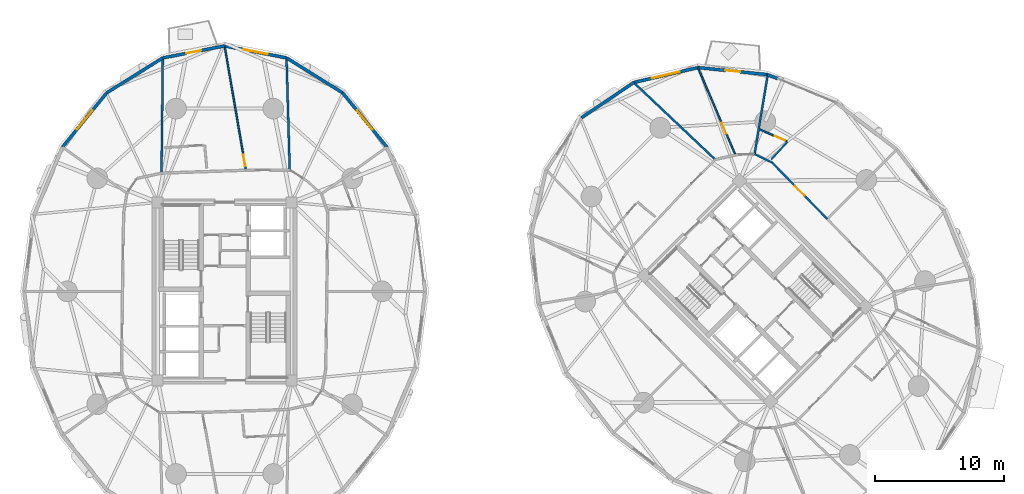
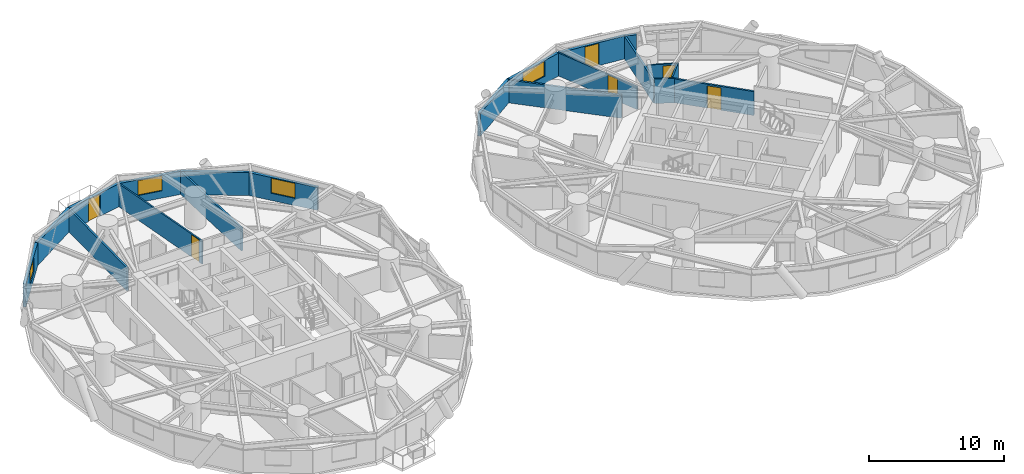
# One storey, part 14 of 19: 20 walls, 6 doors, 4 windows, 10 openings.
"""IFC4 building model written with IfcOpenShell, lengths in metres."""

from ifc_helpers import new_model, si_unit, direction, frame, frame_2d, origin, place, context, subcontext, project, spatial, rectangle, extrude, source, transform, mapped, material, layer, layer_set, type_object, element, fill, save


model = new_model("IFC4")

# Units and contexts
model_context = context("Model", 3, precision=1e-05, world=origin(), true_north=direction((0.0, 1.0)))
body_context = subcontext(model_context, "Body", "Model", "MODEL_VIEW")
ifc_project = project(units=[si_unit("LENGTHUNIT", "METRE"), si_unit("AREAUNIT", "SQUARE_METRE"), si_unit("VOLUMEUNIT", "CUBIC_METRE"), si_unit("PLANEANGLEUNIT", "RADIAN"), si_unit("MASSUNIT", "GRAM", prefix="KILO")], contexts=[model_context])

# Site, building, storey
site_placement = place(None, origin())
site = spatial("IfcSite", under=ifc_project, at=site_placement, CompositionType="ELEMENT")
building_placement = place(site_placement, origin())
building = spatial("IfcBuilding", under=site, at=building_placement, Name="Cununo Teusaquillo Station Towers", CompositionType="ELEMENT")
storey_placement = place(building_placement, frame((0.0, 0.0, 33.639892578125)))
storey = spatial("IfcBuildingStorey", under=building, at=storey_placement, Name="L09", CompositionType="ELEMENT", Elevation=33.639892578125)

# Wall, opening, window
ifc_material_1 = material(Name="Precast concrete C40/50", Category="concrete")
ifc_layer_1 = layer(ifc_material_1, 0.239990234375)
ifc_layer_set_1 = layer_set([ifc_layer_1], Name="Precast concrete C40/50")
wall_type_1 = type_object("IfcWallType", Name="WL-EXT-240", PredefinedType="SOLIDWALL", material=ifc_layer_set_1)
wall_1_placement = place(storey_placement, frame((25.610107421875, 39.84716796875, 0.0), z_axis=(0.0, 0.0, 1.0), x_axis=(0.632710215588, -0.774388651189, 0.0)))
wall_1 = element("IfcWall", 1, at=wall_1_placement, inside=storey, type_object=wall_type_1, Name="L09 Tower A Exterior Facade Wall C02", PredefinedType="SOLIDWALL", context=body_context, shape_type="SweptSolid", body=[
    extrude(rectangle(XDim=5.41943359375, YDim=0.239990234375, at=frame_2d((2.709716796875, 0.0))), origin(), (0.0, 0.0, 1.0), 2.072998046875),
])
shared_shape_1 = source(origin(), body_context, "Body", "SweptSolid", [
    extrude(rectangle(XDim=1.89990234375, YDim=1.35009765625, at=frame_2d((0.949951171875, 0.675048828125))), frame((0.0, 0.1298828125, 0.0), z_axis=(0.0, -1.0, 0.0), x_axis=(1.0, 0.0, 0.0)), (0.0, 0.0, 1.0), 0.260009765625),
])
opening_1_placement = place(wall_1_placement, frame((1.760009765625, 0.0, 0.64990234375)))
opening_1 = element("IfcOpeningElement", 2, at=opening_1_placement, cuts=wall_1, Name="Opening WN-02", PredefinedType="OPENING", context=body_context, shape_type="MappedRepresentation", body=[
    mapped(shared_shape_1, transform((0.0, 0.0, 0.0), x_axis=(1.0, 0.0, 0.0), y_axis=(0.0, 1.0, 0.0), z_axis=(0.0, 0.0, 1.0), scale=1.0)),
])
ifc_material_2 = material(Name="Operable acoustic tinted low-E double glazing", Category="glass")
window_type_1 = type_object("IfcWindowType", Name="WIN-OPER-1900", PartitioningType="DOUBLE_PANEL_VERTICAL", PredefinedType="WINDOW", material=ifc_material_2)
shared_shape_2 = source(origin(), body_context, "Body", "SweptSolid", [
    extrude(rectangle(XDim=1.89990234375, YDim=1.35009765625, at=frame_2d((0.949951171875, 0.675048828125))), frame((0.0, 0.030029296875, 0.0), z_axis=(0.0, -1.0, 0.0), x_axis=(1.0, 0.0, 0.0)), (0.0, 0.0, 1.0), 0.06005859375),
])
window_1_placement = place(opening_1_placement, origin())
window_1 = element("IfcWindow", 3, at=window_1_placement, inside=storey, type_object=window_type_1, Name="L09 Tower A Facade Window C02", OverallHeight=1.35009765625, OverallWidth=1.89990234375, PartitioningType="DOUBLE_PANEL_VERTICAL", PredefinedType="WINDOW", context=body_context, shape_type="MappedRepresentation", body=[
    mapped(shared_shape_2, transform((0.0, 0.0, 0.0), x_axis=(1.0, 0.0, 0.0), y_axis=(0.0, 1.0, 0.0), z_axis=(0.0, 0.0, 1.0), scale=1.0)),
])
fill(opening_1, window_1)

# Wall
wall_2_placement = place(storey_placement, frame((21.28955078125, 42.54150390625, 0.0), z_axis=(0.0, 0.0, 1.0), x_axis=(0.848528534887, -0.529149624853, 0.0)))
element("IfcWall", 4, at=wall_2_placement, inside=storey, type_object=wall_type_1, Name="L09 Tower A Exterior Facade Wall C03", PredefinedType="SOLIDWALL", context=body_context, shape_type="SweptSolid", body=[
    extrude(rectangle(XDim=5.091796875, YDim=0.239990234375, at=frame_2d((2.5458984375, 0.0))), origin(), (0.0, 0.0, 1.0), 2.072998046875),
])

# Wall, opening, window
wall_3_placement = place(storey_placement, frame((16.5, 43.469970703125, 0.0), z_axis=(0.0, 0.0, 1.0), x_axis=(0.981724094622, -0.190309752872, 0.0)))
wall_3 = element("IfcWall", 5, at=wall_3_placement, inside=storey, type_object=wall_type_1, Name="L09 Tower A Exterior Facade Wall C04", PredefinedType="SOLIDWALL", context=body_context, shape_type="SweptSolid", body=[
    extrude(rectangle(XDim=4.878662109375, YDim=0.239990234375, at=frame_2d((2.439453125, 0.0))), origin(), (0.0, 0.0, 1.0), 2.072998046875),
])
opening_2_placement = place(wall_3_placement, frame((1.489013671875, 0.0, 0.64990234375)))
opening_2 = element("IfcOpeningElement", 6, at=opening_2_placement, cuts=wall_3, Name="Opening WN-02", PredefinedType="OPENING", context=body_context, shape_type="MappedRepresentation", body=[
    mapped(shared_shape_1, transform((0.0, 0.0, 0.0), x_axis=(1.0, 0.0, 0.0), y_axis=(0.0, 1.0, 0.0), z_axis=(0.0, 0.0, 1.0), scale=1.0)),
])
window_2_placement = place(opening_2_placement, origin())
window_2 = element("IfcWindow", 7, at=window_2_placement, inside=storey, type_object=window_type_1, Name="L09 Tower A Facade Window C04", OverallHeight=1.35009765625, OverallWidth=1.89990234375, PartitioningType="DOUBLE_PANEL_VERTICAL", PredefinedType="WINDOW", context=body_context, shape_type="MappedRepresentation", body=[
    mapped(shared_shape_2, transform((0.0, 0.0, 0.0), x_axis=(1.0, 0.0, 0.0), y_axis=(0.0, 1.0, 0.0), z_axis=(0.0, 0.0, 1.0), scale=1.0)),
])
fill(opening_2, window_2)

# Wall, opening, door
wall_4_placement = place(storey_placement, frame((11.71044921875, 42.54150390625, 0.0), z_axis=(0.0, 0.0, 1.0), x_axis=(0.981724094622, 0.190309752872, 0.0)))
wall_4 = element("IfcWall", 8, at=wall_4_placement, inside=storey, type_object=wall_type_1, Name="L09 Tower A Exterior Facade Wall C05", PredefinedType="SOLIDWALL", context=body_context, shape_type="SweptSolid", body=[
    extrude(rectangle(XDim=4.878662109375, YDim=0.239990234375, at=frame_2d((2.439453125, 0.0))), origin(), (0.0, 0.0, 1.0), 2.072998046875),
])
shared_shape_3 = source(origin(), body_context, "Body", "SweptSolid", [
    extrude(rectangle(XDim=1.14990234375, YDim=2.0048828125, at=frame_2d((0.574951171875, 1.00244140625))), frame((0.0, 0.1298828125, 0.0), z_axis=(0.0, -1.0, 0.0), x_axis=(1.0, 0.0, 0.0)), (0.0, 0.0, 1.0), 0.260009765625),
])
opening_3_placement = place(wall_4_placement, frame((1.864013671875, 0.0, 0.0)))
opening_3 = element("IfcOpeningElement", 9, at=opening_3_placement, cuts=wall_4, Name="Opening ED-03", PredefinedType="OPENING", context=body_context, shape_type="MappedRepresentation", body=[
    mapped(shared_shape_3, transform((0.0, 0.0, 0.0), x_axis=(1.0, 0.0, 0.0), y_axis=(0.0, 1.0, 0.0), z_axis=(0.0, 0.0, 1.0), scale=1.0)),
])
ifc_material_3 = material(Name="Anodised dark bronze aluminium EN AW-6063-T6", Category="aluminium")
door_type_1 = type_object("IfcDoorType", Name="DR-EXT-BAL", OperationType="NOTDEFINED", PredefinedType="DOOR", material=ifc_material_3)
shared_shape_4 = source(origin(), body_context, "Body", "SweptSolid", [
    extrude(rectangle(XDim=1.14990234375, YDim=2.0048828125, at=frame_2d((0.574951171875, 1.00244140625))), frame((0.0, 0.02490234375, 0.0), z_axis=(0.0, -1.0, 0.0), x_axis=(1.0, 0.0, 0.0)), (0.0, 0.0, 1.0), 0.050048828125),
])
door_1_placement = place(opening_3_placement, origin())
door_1 = element("IfcDoor", 10, at=door_1_placement, inside=storey, type_object=door_type_1, Name="L09 Tower A Tree Balcony Door C05", OperationType="SINGLE_SWING_LEFT", OverallHeight=2.0048828125, OverallWidth=1.14990234375, PredefinedType="DOOR", context=body_context, shape_type="MappedRepresentation", body=[
    mapped(shared_shape_4, transform((0.0, 0.0, 0.0), x_axis=(1.0, 0.0, 0.0), y_axis=(0.0, 1.0, 0.0), z_axis=(0.0, 0.0, 1.0), scale=1.0)),
])
fill(opening_3, door_1)

# Wall
wall_5_placement = place(storey_placement, frame((7.389892578125, 39.84716796875, 0.0), z_axis=(0.0, 0.0, 1.0), x_axis=(0.848528534887, 0.529149624853, 0.0)))
element("IfcWall", 11, at=wall_5_placement, inside=storey, type_object=wall_type_1, Name="L09 Tower A Exterior Facade Wall C06", PredefinedType="SOLIDWALL", context=body_context, shape_type="SweptSolid", body=[
    extrude(rectangle(XDim=5.091796875, YDim=0.239990234375, at=frame_2d((2.5458984375, 0.0))), origin(), (0.0, 0.0, 1.0), 2.072998046875),
])

# Wall, opening, window
wall_6_placement = place(storey_placement, frame((3.9609375, 35.650390625, 0.0), z_axis=(0.0, 0.0, 1.0), x_axis=(0.632710215588, 0.774388651189, 0.0)))
wall_6 = element("IfcWall", 12, at=wall_6_placement, inside=storey, type_object=wall_type_1, Name="L09 Tower A Exterior Facade Wall C07", PredefinedType="SOLIDWALL", context=body_context, shape_type="SweptSolid", body=[
    extrude(rectangle(XDim=5.41943359375, YDim=0.239990234375, at=frame_2d((2.709716796875, 0.0))), origin(), (0.0, 0.0, 1.0), 2.072998046875),
])
opening_4_placement = place(wall_6_placement, frame((1.760009765625, 0.0, 0.64990234375)))
opening_4 = element("IfcOpeningElement", 13, at=opening_4_placement, cuts=wall_6, Name="Opening WN-02", PredefinedType="OPENING", context=body_context, shape_type="MappedRepresentation", body=[
    mapped(shared_shape_1, transform((0.0, 0.0, 0.0), x_axis=(1.0, 0.0, 0.0), y_axis=(0.0, 1.0, 0.0), z_axis=(0.0, 0.0, 1.0), scale=1.0)),
])
window_3_placement = place(opening_4_placement, origin())
window_3 = element("IfcWindow", 14, at=window_3_placement, inside=storey, type_object=window_type_1, Name="L09 Tower A Facade Window C07", OverallHeight=1.35009765625, OverallWidth=1.89990234375, PartitioningType="DOUBLE_PANEL_VERTICAL", PredefinedType="WINDOW", context=body_context, shape_type="MappedRepresentation", body=[
    mapped(shared_shape_2, transform((0.0, 0.0, 0.0), x_axis=(1.0, 0.0, 0.0), y_axis=(0.0, 1.0, 0.0), z_axis=(0.0, 0.0, 1.0), scale=1.0)),
])
fill(opening_4, window_3)

# Wall
wall_7_placement = place(storey_placement, frame((58.48193359375, 41.2509765625, 0.0), z_axis=(0.0, 0.0, 1.0), x_axis=(0.924556017656, -0.381046152345, 0.0)))
element("IfcWall", 15, at=wall_7_placement, inside=storey, type_object=wall_type_1, Name="L09 Tower B Column Pier Cladding Wall C01-PA", PredefinedType="SOLIDWALL", context=body_context, shape_type="SweptSolid", body=[
    extrude(rectangle(XDim=0.8701171875, YDim=0.239990234375, at=frame_2d((0.43505859375, 0.0))), origin(), (0.0, 0.0, 1.0), 2.072998046875),
])

# Wall, opening, door
wall_8_placement = place(storey_placement, frame((53.08984375, 41.7939453125, 0.0), z_axis=(0.0, 0.0, 1.0), x_axis=(0.994968263437, -0.100190592135, 0.0)))
wall_8 = element("IfcWall", 16, at=wall_8_placement, inside=storey, type_object=wall_type_1, Name="L09 Tower B Exterior Facade Wall C02", PredefinedType="SOLIDWALL", context=body_context, shape_type="SweptSolid", body=[
    extrude(rectangle(XDim=5.41943359375, YDim=0.239990234375, at=frame_2d((2.709716796875, 0.0))), origin(), (0.0, 0.0, 1.0), 2.072998046875),
])
opening_5_placement = place(wall_8_placement, frame((2.135009765625, 0.0, 0.0)))
opening_5 = element("IfcOpeningElement", 17, at=opening_5_placement, cuts=wall_8, Name="Opening ED-03", PredefinedType="OPENING", context=body_context, shape_type="MappedRepresentation", body=[
    mapped(shared_shape_3, transform((0.0, 0.0, 0.0), x_axis=(1.0, 0.0, 0.0), y_axis=(0.0, 1.0, 0.0), z_axis=(0.0, 0.0, 1.0), scale=1.0)),
])
door_2_placement = place(opening_5_placement, origin())
door_2 = element("IfcDoor", 18, at=door_2_placement, inside=storey, type_object=door_type_1, Name="L09 Tower B Tree Balcony Door C02", OperationType="SINGLE_SWING_LEFT", OverallHeight=2.0048828125, OverallWidth=1.14990234375, PredefinedType="DOOR", context=body_context, shape_type="MappedRepresentation", body=[
    mapped(shared_shape_4, transform((0.0, 0.0, 0.0), x_axis=(1.0, 0.0, 0.0), y_axis=(0.0, 1.0, 0.0), z_axis=(0.0, 0.0, 1.0), scale=1.0)),
])
fill(opening_5, door_2)

# Wall, opening, window
wall_9_placement = place(storey_placement, frame((48.12939453125, 40.64404296875, 0.0), z_axis=(0.0, 0.0, 1.0), x_axis=(0.974167686491, 0.22582585901, 0.0)))
wall_9 = element("IfcWall", 19, at=wall_9_placement, inside=storey, type_object=wall_type_1, Name="L09 Tower B Exterior Facade Wall C03", PredefinedType="SOLIDWALL", context=body_context, shape_type="SweptSolid", body=[
    extrude(rectangle(XDim=5.092041015625, YDim=0.239990234375, at=frame_2d((2.5458984375, 0.0))), origin(), (0.0, 0.0, 1.0), 2.072998046875),
])
shared_shape_5 = source(origin(), body_context, "Body", "SweptSolid", [
    extrude(rectangle(XDim=2.199951171875, YDim=1.35009765625, at=frame_2d((1.10009765625, 0.675048828125))), frame((0.0, 0.1298828125, 0.0), z_axis=(0.0, -1.0, 0.0), x_axis=(1.0, 0.0, 0.0)), (0.0, 0.0, 1.0), 0.260009765625),
])
opening_6_placement = place(wall_9_placement, frame((1.446044921875, 0.0, 0.64990234375)))
opening_6 = element("IfcOpeningElement", 20, at=opening_6_placement, cuts=wall_9, Name="Opening WN-01", PredefinedType="OPENING", context=body_context, shape_type="MappedRepresentation", body=[
    mapped(shared_shape_5, transform((0.0, 0.0, 0.0), x_axis=(1.0, 0.0, 0.0), y_axis=(0.0, 1.0, 0.0), z_axis=(0.0, 0.0, 1.0), scale=1.0)),
])
ifc_material_4 = material(Name="Ceramic-fritted dark low-E double glazing", Category="glass")
window_type_2 = type_object("IfcWindowType", Name="WIN-FRIT-2200", PartitioningType="DOUBLE_PANEL_VERTICAL", PredefinedType="WINDOW", material=ifc_material_4)
shared_shape_6 = source(origin(), body_context, "Body", "SweptSolid", [
    extrude(rectangle(XDim=2.199951171875, YDim=1.35009765625, at=frame_2d((1.10009765625, 0.675048828125))), frame((0.0, 0.030029296875, 0.0), z_axis=(0.0, -1.0, 0.0), x_axis=(1.0, 0.0, 0.0)), (0.0, 0.0, 1.0), 0.06005859375),
])
window_4_placement = place(opening_6_placement, origin())
window_4 = element("IfcWindow", 21, at=window_4_placement, inside=storey, type_object=window_type_2, Name="L09 Tower B Facade Window C03", OverallHeight=1.35009765625, OverallWidth=2.199951171875, PartitioningType="DOUBLE_PANEL_VERTICAL", PredefinedType="WINDOW", context=body_context, shape_type="MappedRepresentation", body=[
    mapped(shared_shape_6, transform((0.0, 0.0, 0.0), x_axis=(1.0, 0.0, 0.0), y_axis=(0.0, 1.0, 0.0), z_axis=(0.0, 0.0, 1.0), scale=1.0)),
])
fill(opening_6, window_4)

# Wall
wall_10_placement = place(storey_placement, frame((44.086181640625, 37.913818359375, 0.0), z_axis=(0.0, 0.0, 1.0), x_axis=(0.828748297084, 0.559621532896, 0.0)))
element("IfcWall", 22, at=wall_10_placement, inside=storey, type_object=wall_type_1, Name="L09 Tower B Exterior Facade Wall C04", PredefinedType="SOLIDWALL", context=body_context, shape_type="SweptSolid", body=[
    extrude(rectangle(XDim=4.878662109375, YDim=0.239990234375, at=frame_2d((2.439453125, 0.0))), origin(), (0.0, 0.0, 1.0), 2.072998046875),
])

# Wall, opening, door
ifc_material_5 = material(Name="Fire-rated gypsum plasterboard partition assembly", Category="gypsum")
ifc_layer_2 = layer(ifc_material_5, 0.125)
ifc_layer_set_2 = layer_set([ifc_layer_2], Name="Fire-rated gypsum plasterboard partition assembly")
wall_type_2 = type_object("IfcWallType", Name="WL-PART-125", PredefinedType="PARTITIONING", material=ifc_layer_set_2)
wall_11_placement = place(storey_placement, frame((18.142822265625, 33.859619140625, 0.0), z_axis=(0.0, 0.0, 1.0), x_axis=(-0.168840545196, 0.985643378864, 0.0)))
wall_11 = element("IfcWall", 23, at=wall_11_placement, inside=storey, type_object=wall_type_2, Name="L09 Tower A Executive Corner Hotel Suite Suite Subdividing Wall", PredefinedType="PARTITIONING", context=body_context, shape_type="SweptSolid", body=[
    extrude(rectangle(XDim=9.72998046875, YDim=0.125, at=frame_2d((4.864990234375, 0.0))), origin(), (0.0, 0.0, 1.0), 2.072998046875),
])
shared_shape_7 = source(origin(), body_context, "Body", "SweptSolid", [
    extrude(rectangle(XDim=0.89990234375, YDim=2.0048828125, at=frame_2d((0.449951171875, 1.00244140625))), frame((0.0, 0.072509765625, 0.0), z_axis=(0.0, -1.0, 0.0), x_axis=(1.0, 0.0, 0.0)), (0.0, 0.0, 1.0), 0.14501953125),
])
opening_7_placement = place(wall_11_placement, frame((0.330078125, 0.0, 0.0)))
opening_7 = element("IfcOpeningElement", 24, at=opening_7_placement, cuts=wall_11, Name="Opening D-IN1", PredefinedType="OPENING", context=body_context, shape_type="MappedRepresentation", body=[
    mapped(shared_shape_7, transform((0.0, 0.0, 0.0), x_axis=(1.0, 0.0, 0.0), y_axis=(0.0, 1.0, 0.0), z_axis=(0.0, 0.0, 1.0), scale=1.0)),
])
ifc_material_6 = material(Name="Acoustic solid-core hardwood leaf assembly", Category="wood")
door_type_2 = type_object("IfcDoorType", Name="DR-INT-900", OperationType="NOTDEFINED", PredefinedType="DOOR", material=ifc_material_6)
shared_shape_8 = source(origin(), body_context, "Body", "SweptSolid", [
    extrude(rectangle(XDim=0.89990234375, YDim=2.0048828125, at=frame_2d((0.449951171875, 1.00244140625))), frame((0.0, 0.02490234375, 0.0), z_axis=(0.0, -1.0, 0.0), x_axis=(1.0, 0.0, 0.0)), (0.0, 0.0, 1.0), 0.050048828125),
])
door_3_placement = place(opening_7_placement, origin())
door_3 = element("IfcDoor", 25, at=door_3_placement, inside=storey, type_object=door_type_2, Name="L09 Tower A Executive Corner Hotel Suite Suite Connecting Door", OperationType="SINGLE_SWING_LEFT", OverallHeight=2.0048828125, OverallWidth=0.89990234375, PredefinedType="DOOR", context=body_context, shape_type="MappedRepresentation", body=[
    mapped(shared_shape_8, transform((0.0, 0.0, 0.0), x_axis=(1.0, 0.0, 0.0), y_axis=(0.0, 1.0, 0.0), z_axis=(0.0, 0.0, 1.0), scale=1.0)),
])
fill(opening_7, door_3)

wall_12_placement = place(storey_placement, frame((55.98388671875, 35.035400390625, 0.0), z_axis=(0.0, 0.0, 1.0), x_axis=(-0.394244760106, 0.919005478291, 0.0)))
wall_12 = element("IfcWall", 26, at=wall_12_placement, inside=storey, type_object=wall_type_2, Name="L09 Tower B Hotel Club Breakfast Lounge Suite Subdividing Wall", PredefinedType="PARTITIONING", context=body_context, shape_type="SweptSolid", body=[
    extrude(rectangle(XDim=7.332763671875, YDim=0.125, at=frame_2d((3.66650390625, 0.0))), origin(), (0.0, 0.0, 1.0), 2.072998046875),
])
opening_8_placement = place(wall_12_placement, frame((1.800048828125, 0.0, 0.0)))
opening_8 = element("IfcOpeningElement", 27, at=opening_8_placement, cuts=wall_12, Name="Opening D-IN1", PredefinedType="OPENING", context=body_context, shape_type="MappedRepresentation", body=[
    mapped(shared_shape_7, transform((0.0, 0.0, 0.0), x_axis=(1.0, 0.0, 0.0), y_axis=(0.0, 1.0, 0.0), z_axis=(0.0, 0.0, 1.0), scale=1.0)),
])
door_4_placement = place(opening_8_placement, origin())
door_4 = element("IfcDoor", 28, at=door_4_placement, inside=storey, type_object=door_type_2, Name="L09 Tower B Hotel Club Breakfast Lounge Suite Connecting Door", OperationType="SINGLE_SWING_LEFT", OverallHeight=2.0048828125, OverallWidth=0.89990234375, PredefinedType="DOOR", context=body_context, shape_type="MappedRepresentation", body=[
    mapped(shared_shape_8, transform((0.0, 0.0, 0.0), x_axis=(1.0, 0.0, 0.0), y_axis=(0.0, 1.0, 0.0), z_axis=(0.0, 0.0, 1.0), scale=1.0)),
])
fill(opening_8, door_4)

# Wall
wall_13_placement = place(storey_placement, frame((58.755615234375, 34.69384765625, 0.0), z_axis=(0.0, 0.0, 1.0), x_axis=(0.675641726749, 0.73723012491, 0.0)))
element("IfcWall", 29, at=wall_13_placement, inside=storey, type_object=wall_type_2, Name="L09 Tower B S10 En-suite Side Wall", PredefinedType="PARTITIONING", context=body_context, shape_type="SweptSolid", body=[
    extrude(rectangle(XDim=1.8671875, YDim=0.125, at=frame_2d((0.93359375, 0.0))), origin(), (0.0, 0.0, 1.0), 2.205078125),
])

# Wall, opening, door
wall_14_placement = place(storey_placement, frame((59.952392578125, 36.0986328125, 0.0), z_axis=(0.0, 0.0, 1.0), x_axis=(-0.915914750605, 0.401372856113, 0.0)))
wall_14 = element("IfcWall", 30, at=wall_14_placement, inside=storey, type_object=wall_type_2, Name="L09 Tower B S10 En-suite Back Wall", PredefinedType="PARTITIONING", context=body_context, shape_type="SweptSolid", body=[
    extrude(rectangle(XDim=2.26513671875, YDim=0.125, at=frame_2d((1.132568359375, 0.0))), origin(), (0.0, 0.0, 1.0), 2.1591796875),
])
opening_9_placement = place(wall_14_placement, frame((0.1201171875, 0.0, 0.0)))
opening_9 = element("IfcOpeningElement", 31, at=opening_9_placement, cuts=wall_14, Name="Opening D-IN1", PredefinedType="OPENING", context=body_context, shape_type="MappedRepresentation", body=[
    mapped(shared_shape_7, transform((0.0, 0.0, 0.0), x_axis=(1.0, 0.0, 0.0), y_axis=(0.0, 1.0, 0.0), z_axis=(0.0, 0.0, 1.0), scale=1.0)),
])
door_5_placement = place(opening_9_placement, origin())
door_5 = element("IfcDoor", 32, at=door_5_placement, inside=storey, type_object=door_type_2, Name="L09 Tower B S10 En-suite Bathroom Door", OperationType="SINGLE_SWING_LEFT", OverallHeight=2.0048828125, OverallWidth=0.89990234375, PredefinedType="DOOR", context=body_context, shape_type="MappedRepresentation", body=[
    mapped(shared_shape_8, transform((0.0, 0.0, 0.0), x_axis=(1.0, 0.0, 0.0), y_axis=(0.0, 1.0, 0.0), z_axis=(0.0, 0.0, 1.0), scale=1.0)),
])
fill(opening_9, door_5)

ifc_material_7 = material(Name="Fire-rated gypsum plasterboard partition assembly", Category="gypsum")
ifc_layer_3 = layer(ifc_material_7, 0.14990234375)
ifc_layer_set_3 = layer_set([ifc_layer_3], Name="Fire-rated gypsum plasterboard partition assembly")
wall_type_3 = type_object("IfcWallType", Name="WL-PART-150", PredefinedType="PARTITIONING", material=ifc_layer_set_3)
wall_15_placement = place(storey_placement, frame((63.086181640625, 30.086181640625, 0.0), z_axis=(0.0, 0.0, 1.0), x_axis=(-0.699075897379, 0.715047473741, 0.0)))
wall_15 = element("IfcWall", 33, at=wall_15_placement, inside=storey, type_object=wall_type_3, Name="L09 Tower B Corridor Ring Wall C00", PredefinedType="PARTITIONING", context=body_context, shape_type="SweptSolid", body=[
    extrude(rectangle(XDim=6.1142578125, YDim=0.14990234375, at=frame_2d((3.05712890625, 0.0))), origin(), (0.0, 0.0, 1.0), 2.1591796875),
])
shared_shape_9 = source(origin(), body_context, "Body", "SweptSolid", [
    extrude(rectangle(XDim=1.050048828125, YDim=2.014892578125, at=frame_2d((0.52490234375, 1.00732421875))), frame((0.0, 0.0849609375, 0.0), z_axis=(0.0, -1.0, 0.0), x_axis=(1.0, 0.0, 0.0)), (0.0, 0.0, 1.0), 0.169921875),
])
opening_10_placement = place(wall_15_placement, frame((2.5322265625, 0.0, 0.0)))
opening_10 = element("IfcOpeningElement", 34, at=opening_10_placement, cuts=wall_15, Name="Opening D-SU1", PredefinedType="OPENING", context=body_context, shape_type="MappedRepresentation", body=[
    mapped(shared_shape_9, transform((0.0, 0.0, 0.0), x_axis=(1.0, 0.0, 0.0), y_axis=(0.0, 1.0, 0.0), z_axis=(0.0, 0.0, 1.0), scale=1.0)),
])
ifc_material_8 = material(Name="Acoustic solid-core hardwood leaf assembly", Category="wood")
door_type_3 = type_object("IfcDoorType", Name="DR-SUITE-1050", OperationType="NOTDEFINED", PredefinedType="DOOR", material=ifc_material_8)
shared_shape_10 = source(origin(), body_context, "Body", "SweptSolid", [
    extrude(rectangle(XDim=1.050048828125, YDim=2.014892578125, at=frame_2d((0.52490234375, 1.00732421875))), frame((0.0, 0.02490234375, 0.0), z_axis=(0.0, -1.0, 0.0), x_axis=(1.0, 0.0, 0.0)), (0.0, 0.0, 1.0), 0.050048828125),
])
door_6_placement = place(opening_10_placement, origin())
door_6 = element("IfcDoor", 35, at=door_6_placement, inside=storey, type_object=door_type_3, Name="L09 Tower B Premier Corner Hotel Suite Entrance Door", OperationType="SINGLE_SWING_RIGHT", OverallHeight=2.014892578125, OverallWidth=1.050048828125, PredefinedType="DOOR", context=body_context, shape_type="MappedRepresentation", body=[
    mapped(shared_shape_10, transform((0.0, 0.0, 0.0), x_axis=(1.0, 0.0, 0.0), y_axis=(0.0, 1.0, 0.0), z_axis=(0.0, 0.0, 1.0), scale=1.0)),
])
fill(opening_10, door_6)

# Walls
wall_16_placement = place(storey_placement, frame((58.811767578125, 34.458251953125, 0.0), z_axis=(0.0, 0.0, 1.0), x_axis=(-0.899559490277, 0.436798264021, 0.0)))
element("IfcWall", 36, at=wall_16_placement, inside=storey, type_object=wall_type_3, Name="L09 Tower B Corridor Ring Wall C01", PredefinedType="PARTITIONING", context=body_context, shape_type="SweptSolid", body=[
    extrude(rectangle(XDim=1.4951171875, YDim=0.14990234375, at=frame_2d((0.74755859375, 0.0))), origin(), (0.0, 0.0, 1.0), 2.205078125),
])
ifc_material_9 = material(Name="Fire-rated gypsum plasterboard partition assembly", Category="gypsum")
ifc_layer_4 = layer(ifc_material_9, 0.159912109375)
ifc_layer_set_4 = layer_set([ifc_layer_4], Name="Fire-rated gypsum plasterboard partition assembly")
wall_type_4 = type_object("IfcWallType", Name="WL-PART-160", PredefinedType="PARTITIONING", material=ifc_layer_set_4)
wall_17_placement = place(storey_placement, frame((21.52685546875, 33.873291015625, 0.0), z_axis=(0.0, 0.0, 1.0), x_axis=(-0.028159433134, 0.999603444535, 0.0)))
element("IfcWall", 37, at=wall_17_placement, inside=storey, type_object=wall_type_4, Name="L09 Tower A Radial Suite Partition R03", PredefinedType="PARTITIONING", context=body_context, shape_type="SweptSolid", body=[
    extrude(rectangle(XDim=8.652587890625, YDim=0.159912109375, at=frame_2d((4.326171875, 0.0))), origin(), (0.0, 0.0, 1.0), 2.072998046875),
])
wall_18_placement = place(storey_placement, frame((11.619873046875, 33.63720703125, 0.0), z_axis=(0.0, 0.0, 1.0), x_axis=(0.01090774254, 0.999940508807, 0.0)))
element("IfcWall", 38, at=wall_18_placement, inside=storey, type_object=wall_type_4, Name="L09 Tower A Radial Suite Partition R04", PredefinedType="PARTITIONING", context=body_context, shape_type="SweptSolid", body=[
    extrude(rectangle(XDim=8.8857421875, YDim=0.159912109375, at=frame_2d((4.44287109375, 0.0))), origin(), (0.0, 0.0, 1.0), 2.072998046875),
])
wall_19_placement = place(storey_placement, frame((57.466796875, 35.111328125, 0.0), z_axis=(0.0, 0.0, 1.0), x_axis=(0.163141505202, 0.986602680556, 0.0)))
element("IfcWall", 39, at=wall_19_placement, inside=storey, type_object=wall_type_4, Name="L09 Tower B Radial Suite Partition R02", PredefinedType="PARTITIONING", context=body_context, shape_type="SweptSolid", body=[
    extrude(rectangle(XDim=6.202880859375, YDim=0.159912109375, at=frame_2d((3.1015625, 0.0))), origin(), (0.0, 0.0, 1.0), 2.072998046875),
])
wall_20_placement = place(storey_placement, frame((54.426513671875, 34.6826171875, 0.0), z_axis=(0.0, 0.0, 1.0), x_axis=(-0.726732956694, 0.686920089716, 0.0)))
element("IfcWall", 40, at=wall_20_placement, inside=storey, type_object=wall_type_4, Name="L09 Tower B Radial Suite Partition R03", PredefinedType="PARTITIONING", context=body_context, shape_type="SweptSolid", body=[
    extrude(rectangle(XDim=8.652587890625, YDim=0.159912109375, at=frame_2d((4.326171875, 0.0))), origin(), (0.0, 0.0, 1.0), 2.072998046875),
])

save(model, "model.ifc")
